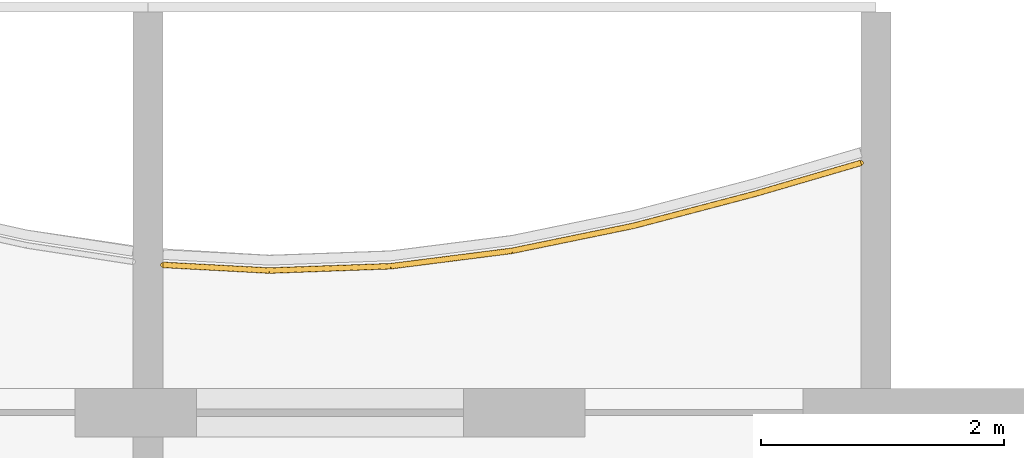
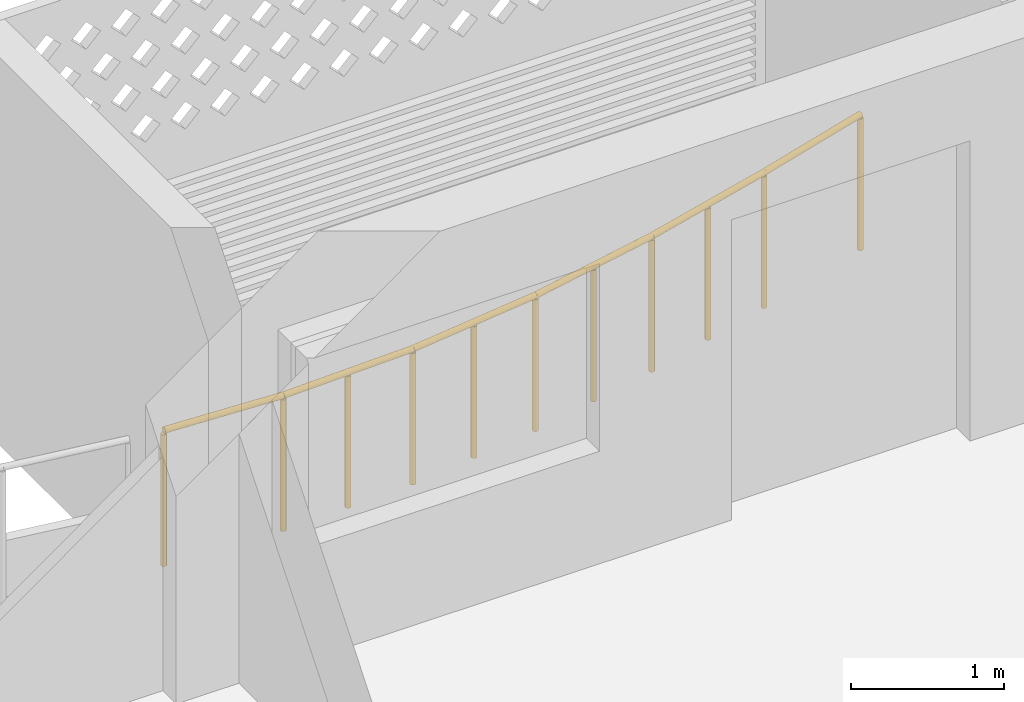
# One storey, part 25 of 26: 1 railing.
"""IFC4 building model written with IfcOpenShell, lengths in metres."""

from ifc_helpers import new_model, si_unit, direction, frame, origin, origin_2d, place, context, subcontext, project, spatial, circle, extrude, material, type_object, element, save


model = new_model("IFC4")

# Units and contexts
model_context = context("Model", 3, precision=1e-05, world=origin(), true_north=direction((0.0, 1.0)))
body_context = subcontext(model_context, "Body", "Model", "MODEL_VIEW")
ifc_project = project(units=[si_unit("LENGTHUNIT", "METRE"), si_unit("AREAUNIT", "SQUARE_METRE"), si_unit("VOLUMEUNIT", "CUBIC_METRE"), si_unit("PLANEANGLEUNIT", "RADIAN"), si_unit("MASSUNIT", "GRAM", prefix="KILO")], contexts=[model_context])

# Site, building, storey
site_placement = place(None, origin())
site = spatial("IfcSite", under=ifc_project, at=site_placement, CompositionType="ELEMENT")
building_placement = place(site_placement, origin())
building = spatial("IfcBuilding", under=site, at=building_placement, Name="Poui Terraces", CompositionType="ELEMENT")
storey_placement = place(building_placement, frame((0.0, 0.0, 221.39990234375)))
storey = spatial("IfcBuildingStorey", under=building, at=storey_placement, Name="L61", CompositionType="ELEMENT", Elevation=221.39990234375)

# Railing
ifc_material = material(Name="Painted steel fretwork", Category="steel")
railing_type = type_object("IfcRailingType", Name="BALCONY GUARD 1100", PredefinedType="GUARDRAIL", material=ifc_material)
railing_placement = place(storey_placement, frame((72.125, 42.41748046875, 0.0)))
element("IfcRailing", 1, at=railing_placement, inside=storey, type_object=railing_type, Name="BALCONY GUARD", PredefinedType="GUARDRAIL", context=body_context, shape_type="SweptSolid", body=[
    extrude(circle(Radius=0.02392578125, at=origin_2d()), frame((0.0, 0.0, 1.076171875), z_axis=(0.998582977112, -0.053216894149, 0.0), x_axis=(0.053216894149, 0.998582977112, 0.0)), (0.0, 0.0, 1.0), 0.876220703125),
    extrude(circle(Radius=0.02392578125, at=origin_2d()), frame((0.875, -0.046630859375, 1.076171875), z_axis=(0.999365338401, 0.035621909035, 0.0), x_axis=(-0.035621909035, 0.999365338401, 0.0)), (0.0, 0.0, 1.0), 1.000732421875),
    extrude(circle(Radius=0.02392578125, at=origin_2d()), frame((1.875, -0.010986328125, 1.076171875), z_axis=(0.992007284566, 0.126180614077, 0.0), x_axis=(-0.126180614077, 0.992007284566, 0.0)), (0.0, 0.0, 1.0), 1.008056640625),
    extrude(circle(Radius=0.02392578125, at=origin_2d()), frame((2.875, 0.1162109375, 1.076171875), z_axis=(0.979518122884, 0.201356020378, 0.0), x_axis=(-0.201356020378, 0.979518122884, 0.0)), (0.0, 0.0, 1.0), 1.02099609375),
    extrude(circle(Radius=0.02392578125, at=origin_2d()), frame((3.875, 0.32177734375, 1.076171875), z_axis=(0.967126511287, 0.25429571598, 0.0), x_axis=(-0.25429571598, 0.967126511287, 0.0)), (0.0, 0.0, 1.0), 1.033935546875),
    extrude(circle(Radius=0.02392578125, at=origin_2d()), frame((4.875, 0.584716796875, 1.076171875), z_axis=(0.959879926868, 0.280411351404, 0.0), x_axis=(-0.280411351404, 0.959879926868, 0.0)), (0.0, 0.0, 1.0), 0.91162109375),
    extrude(circle(Radius=0.02099609375, at=origin_2d()), origin(), (0.0, 0.0, 1.0), 1.052001953125),
    extrude(circle(Radius=0.02099609375, at=origin_2d()), frame((0.875, -0.046630859375, 0.0)), (0.0, 0.0, 1.0), 1.052001953125),
    extrude(circle(Radius=0.02099609375, at=origin_2d()), frame((1.375, -0.02880859375, 0.0)), (0.0, 0.0, 1.0), 1.052001953125),
    extrude(circle(Radius=0.02099609375, at=origin_2d()), frame((1.875, -0.010986328125, 0.0)), (0.0, 0.0, 1.0), 1.052001953125),
    extrude(circle(Radius=0.02099609375, at=origin_2d()), frame((2.375, 0.052734375, 0.0)), (0.0, 0.0, 1.0), 1.052001953125),
    extrude(circle(Radius=0.02099609375, at=origin_2d()), frame((2.875, 0.1162109375, 0.0)), (0.0, 0.0, 1.0), 1.052001953125),
    extrude(circle(Radius=0.02099609375, at=origin_2d()), frame((3.375, 0.218994140625, 0.0)), (0.0, 0.0, 1.0), 1.052001953125),
    extrude(circle(Radius=0.02099609375, at=origin_2d()), frame((3.875, 0.32177734375, 0.0)), (0.0, 0.0, 1.0), 1.052001953125),
    extrude(circle(Radius=0.02099609375, at=origin_2d()), frame((4.375, 0.453125, 0.0)), (0.0, 0.0, 1.0), 1.052001953125),
    extrude(circle(Radius=0.02099609375, at=origin_2d()), frame((4.875, 0.584716796875, 0.0)), (0.0, 0.0, 1.0), 1.052001953125),
    extrude(circle(Radius=0.02099609375, at=origin_2d()), frame((5.75, 0.84033203125, 0.0)), (0.0, 0.0, 1.0), 1.052001953125),
])

save(model, "model.ifc")
